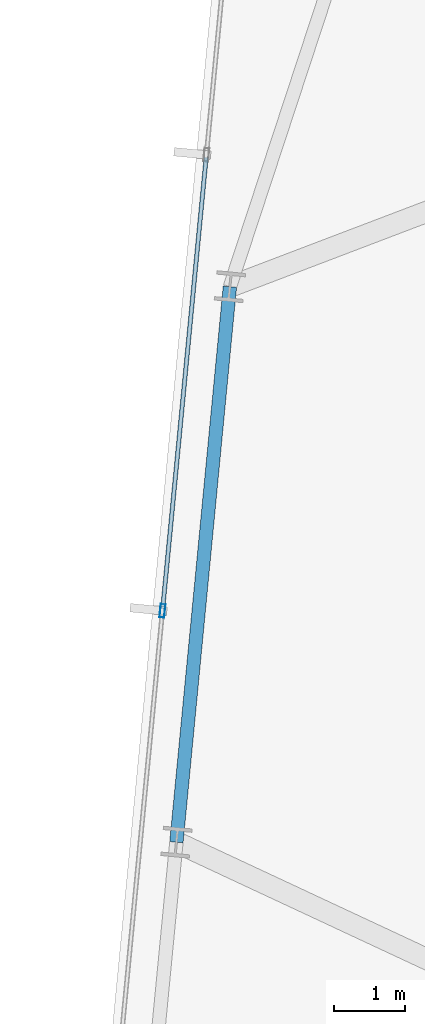
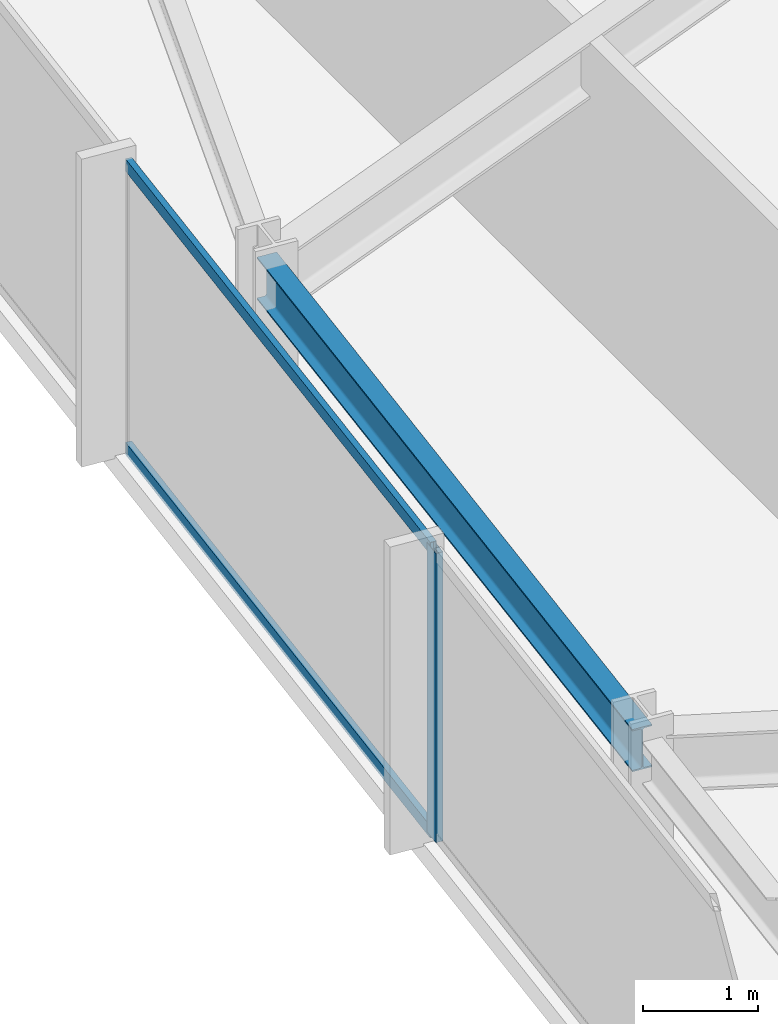
# One storey, part 10 of 36: 3 members, 1 beam, 1 element without a shape of its own.
"""IFC4 building model written with IfcOpenShell, lengths in metres."""

from ifc_helpers import new_model, si_unit, direction, frame, origin, origin_2d, place, context, subcontext, project, spatial, hollow_rectangle, i_section, extrude, material, material_profile, profile_set, type_object, element, aggregate, save


model = new_model("IFC4")

# Units and contexts
model_context = context("Model", 3, precision=1e-05, world=origin(), true_north=direction((0.0, 1.0)))
body_context = subcontext(model_context, "Body", "Model", "MODEL_VIEW")
ifc_project = project(units=[si_unit("LENGTHUNIT", "METRE"), si_unit("AREAUNIT", "SQUARE_METRE"), si_unit("VOLUMEUNIT", "CUBIC_METRE"), si_unit("PLANEANGLEUNIT", "RADIAN"), si_unit("MASSUNIT", "GRAM", prefix="KILO")], contexts=[model_context])

# Site, building, storey
site_placement = place(None, origin())
site = spatial("IfcSite", under=ifc_project, at=site_placement, CompositionType="ELEMENT")
building_placement = place(site_placement, origin())
building = spatial("IfcBuilding", under=site, at=building_placement, Name="Yelkora Congress Tower", CompositionType="ELEMENT")
storey_placement = place(building_placement, frame((0.0, 0.0, 152.300048828125)))
storey = spatial("IfcBuildingStorey", under=building, at=storey_placement, Name="L41", CompositionType="ELEMENT", Elevation=152.300048828125)

# Beam
ifc_material_1 = material(Name="Steel S355J2", Category="steel")
ifc_material_profile_1 = material_profile(ifc_material_1, i_section(OverallWidth=0.18994140625, OverallDepth=0.449951171875, WebThickness=0.009521484375, FlangeThickness=0.0146484375, FilletRadius=0.02099609375, at=origin_2d()), Name="IPE 450")
ifc_profile_set_1 = profile_set([ifc_material_profile_1], Name="Steel S355J2")
beam_type = type_object("IfcBeamType", Name="BM-SPAN-IPE450", PredefinedType="SPANDREL", material=ifc_profile_set_1)
beam_placement = place(storey_placement, frame((4.121826171875, 40.4580078125, 2.85498046875), z_axis=(-0.095864922257, -0.995394352345, 0.0), x_axis=(0.995394352345, -0.095864922257, 0.0)))
element("IfcBeam", 1, at=beam_placement, inside=storey, type_object=beam_type, Name="L41 Perimeter Beam 17", PredefinedType="SPANDREL", context=body_context, shape_type="SweptSolid", body=[
    extrude(i_section(OverallWidth=0.18994140625, OverallDepth=0.449951171875, WebThickness=0.009521484375, FlangeThickness=0.0146484375, FilletRadius=0.02099609375, at=origin_2d()), origin(), (0.0, 0.0, 1.0), 7.89990234375),
])

# Curtain wall, members
ifc_material_2 = material(Name="Anodised aluminium and insulated glass", Category="aluminium")
curtain_wall_type = type_object("IfcCurtainWallType", Name="CW-SYS-B3", PredefinedType="NOTDEFINED", material=ifc_material_2)
curtain_wall_placement = place(storey_placement, origin())
curtain_wall = element("IfcCurtainWall", 2, at=curtain_wall_placement, inside=storey, type_object=curtain_wall_type, Name="L41 Unitised Curtain Wall 5", PredefinedType="NOTDEFINED")
ifc_material_3 = material(Name="Anodised aluminium 6063-T6", Category="aluminium")
ifc_material_profile_2 = material_profile(ifc_material_3, hollow_rectangle(XDim=0.070068359375, YDim=0.18994140625, WallThickness=0.00390625, at=origin_2d()), Name="ALU 70x190x4")
ifc_profile_set_2 = profile_set([ifc_material_profile_2], Name="Anodised aluminium 6063-T6")
member_type_1 = type_object("IfcMemberType", Name="MEM-ML-B3", PredefinedType="MULLION", material=ifc_profile_set_2)
member_1_placement = place(storey_placement, frame((3.167724609375, 35.870361328125, 0.0), z_axis=(0.0, 0.0, 1.0), x_axis=(-0.995396242473, 0.095845294465, 0.0)))
member_1 = element("IfcMember", 3, at=member_1_placement, type_object=member_type_1, Name="CW-B3 mullion 4", PredefinedType="MULLION", context=body_context, shape_type="SweptSolid", body=[
    extrude(hollow_rectangle(XDim=0.070068359375, YDim=0.18994140625, WallThickness=0.00390625, at=origin_2d()), origin(), (0.0, 0.0, 1.0), 3.079833984375),
])
ifc_material_profile_3 = material_profile(ifc_material_3, hollow_rectangle(XDim=0.06005859375, YDim=0.1298828125, WallThickness=0.00390625, at=origin_2d()), Name="ALU 60x130x4")
ifc_profile_set_3 = profile_set([ifc_material_profile_3], Name="Anodised aluminium 6063-T6")
member_type_2 = type_object("IfcMemberType", Name="MEM-TR-B3", PredefinedType="USERDEFINED", material=ifc_profile_set_3)
member_2_placement = place(storey_placement, frame((3.171142578125, 35.9052734375, 0.030029296875), z_axis=(0.095847313538, 0.995396048057, 0.0), x_axis=(-0.995396048057, 0.095847313538, 0.0)))
member_2 = element("IfcMember", 4, at=member_2_placement, type_object=member_type_2, Name="CW-B3 transom 4.1", ObjectType="TRANSOM", PredefinedType="USERDEFINED", context=body_context, shape_type="SweptSolid", body=[
    extrude(hollow_rectangle(XDim=0.06005859375, YDim=0.1298828125, WallThickness=0.00390625, at=origin_2d()), origin(), (0.0, 0.0, 1.0), 6.413818359375),
])
member_3_placement = place(storey_placement, frame((3.171142578125, 35.9052734375, 3.050048828125), z_axis=(0.095847313538, 0.995396048057, 0.0), x_axis=(-0.995396048057, 0.095847313538, 0.0)))
member_3 = element("IfcMember", 5, at=member_3_placement, type_object=member_type_2, Name="CW-B3 transom 4.2", ObjectType="TRANSOM", PredefinedType="USERDEFINED", context=body_context, shape_type="SweptSolid", body=[
    extrude(hollow_rectangle(XDim=0.06005859375, YDim=0.1298828125, WallThickness=0.00390625, at=origin_2d()), origin(), (0.0, 0.0, 1.0), 6.413818359375),
])
aggregate(curtain_wall, [member_1, member_2, member_3])

save(model, "model.ifc")
